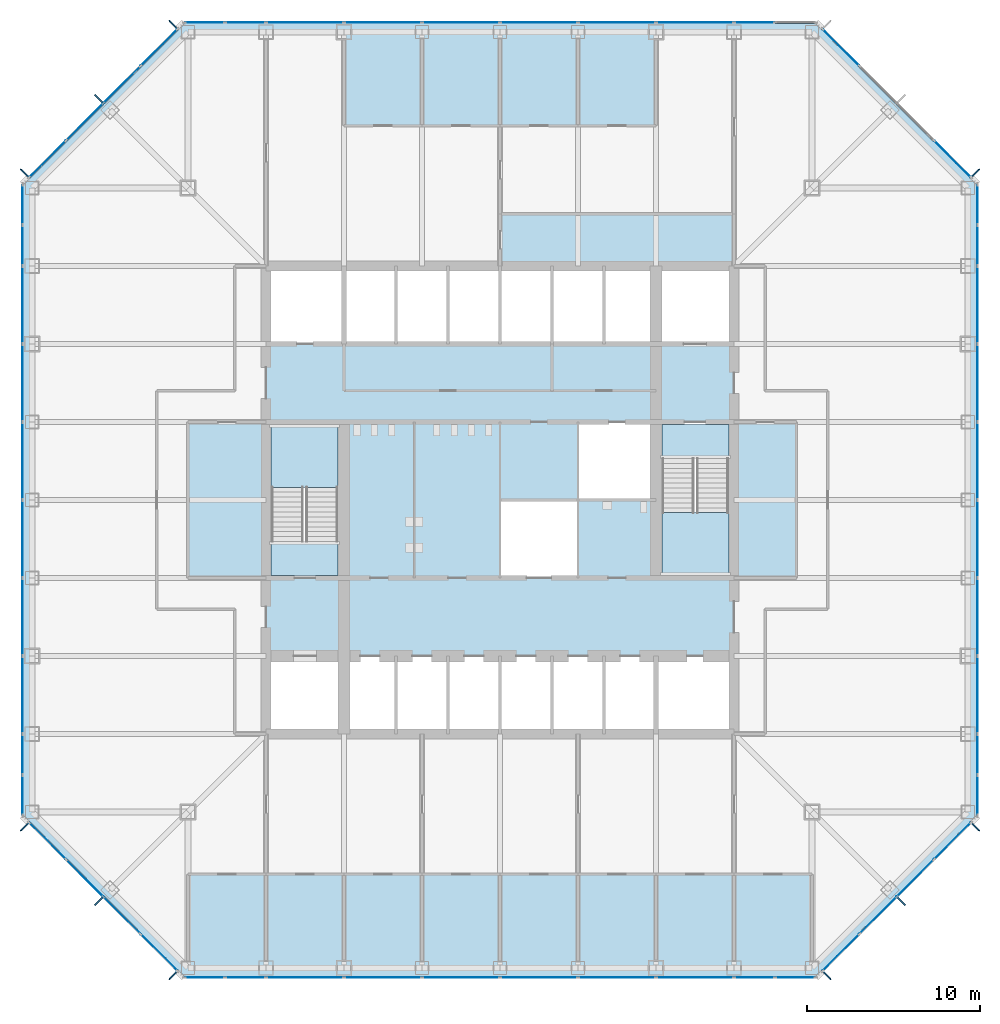
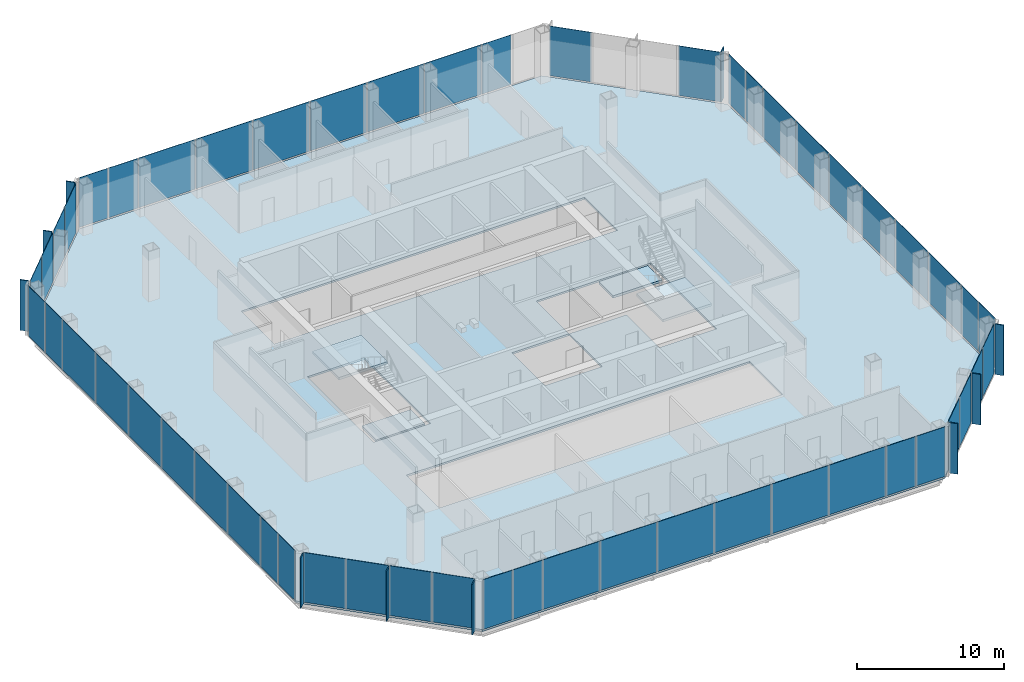
# One storey, part 7 of 13: 63 plates, 5 slabs, 10 elements without a shape of their own.
"""IFC4 building model written with IfcOpenShell, lengths in metres."""

from ifc_helpers import new_model, si_unit, direction, frame, origin, origin_2d, place, context, subcontext, project, spatial, polyline, rectangle, outline, extrude, material, layer, layer_set, type_object, element, aggregate, save


model = new_model("IFC4")

# Units and contexts
model_context = context("Model", 3, precision=1e-05, world=origin(), true_north=direction((0.0, 1.0)))
body_context = subcontext(model_context, "Body", "Model", "MODEL_VIEW")
ifc_project = project(units=[si_unit("LENGTHUNIT", "METRE"), si_unit("AREAUNIT", "SQUARE_METRE"), si_unit("VOLUMEUNIT", "CUBIC_METRE"), si_unit("PLANEANGLEUNIT", "RADIAN"), si_unit("MASSUNIT", "GRAM", prefix="KILO")], contexts=[model_context])

# Site, building, storey
site_placement = place(None, origin())
site = spatial("IfcSite", under=ifc_project, at=site_placement, CompositionType="ELEMENT")
building_placement = place(site_placement, origin())
building = spatial("IfcBuilding", under=site, at=building_placement, Name="Corais Broadcast Tower", CompositionType="ELEMENT")
storey_placement = place(building_placement, frame((0.0, 0.0, 79.39990234375)))
storey = spatial("IfcBuildingStorey", under=building, at=storey_placement, Name="L17", CompositionType="ELEMENT", Elevation=79.39990234375)

# Slab
ifc_material_1 = material(Name="Concrete C30/37", Category="concrete")
ifc_layer_1 = layer(ifc_material_1, 0.159912109375)
ifc_layer_set_1 = layer_set([ifc_layer_1], Name="Concrete C30/37")
slab_type_1 = type_object("IfcSlabType", Name="Composite floor slab 160", PredefinedType="FLOOR", material=ifc_layer_set_1)
slab_1_placement = place(storey_placement, frame((0.0, 0.0, -0.159912109375)))
element("IfcSlab", 1, at=slab_1_placement, inside=storey, type_object=slab_type_1, Name="S160 floor slab L17", PredefinedType="FLOOR", context=body_context, shape_type="SweptSolid", body=[
    extrude(outline(polyline([(8.80126953125, -0.47998046875), (-0.47998046875, 8.80126953125), (-0.47998046875, 45.19873046875), (8.80126953125, 54.47998046875), (45.19873046875, 54.47998046875), (54.47998046875, 45.19873046875), (54.47998046875, 8.80126953125), (45.19873046875, -0.47998046875), (8.80126953125, -0.47998046875)]), holes=[polyline([(13.5, 18.0), (40.5, 18.0), (40.5, 13.5), (13.5, 13.5), (13.5, 18.0)]), polyline([(13.5, 22.5), (13.5, 31.5), (18.0, 31.5), (18.0, 22.5), (13.5, 22.5)]), polyline([(13.5, 40.5), (40.5, 40.5), (40.5, 36.0), (13.5, 36.0), (13.5, 40.5)]), polyline([(27.0, 22.5), (27.0, 27.0), (31.4951171875, 27.0), (31.4951171875, 27.0048828125), (31.5, 27.0048828125), (31.5, 31.5), (40.5, 31.5), (40.5, 22.5), (36.0, 22.5), (36.0, 27.0), (31.5048828125, 27.0), (31.5048828125, 26.9951171875), (31.5, 26.9951171875), (31.5, 22.5), (27.0, 22.5)])]), origin(), (0.0, 0.0, 1.0), 0.159912109375),
])

# Curtain wall, plates
ifc_material_2 = material(Name="Aluminium and glass", Category="aluminium")
curtain_wall_type = type_object("IfcCurtainWallType", Name="Unitised fritted curtain wall CW1", PredefinedType="NOTDEFINED", material=ifc_material_2)
curtain_wall_1_placement = place(storey_placement, origin())
curtain_wall_1 = element("IfcCurtainWall", 2, at=curtain_wall_1_placement, inside=storey, type_object=curtain_wall_type, Name="CW1 curtain wall L17 1", PredefinedType="NOTDEFINED")
ifc_material_3 = material(Name="Ceramic-fritted laminated glass", Category="glass")
ifc_layer_2 = layer(ifc_material_3, 0.030029296875)
ifc_layer_set_2 = layer_set([ifc_layer_2], Name="Ceramic-fritted laminated glass")
plate_type_1 = type_object("IfcPlateType", Name="Fritted glass panel CW1", PredefinedType="CURTAIN_PANEL", material=ifc_layer_set_2)
plate_1_placement = place(storey_placement, frame((7.330322265625, 0.891845703125, 0.06494140625), z_axis=(0.0, 0.0, 1.0), x_axis=(-0.707106781187, 0.707106781187, 0.0)))
plate_1 = element("IfcPlate", 3, at=plate_1_placement, type_object=plate_type_1, Name="CW1 panel 1", PredefinedType="CURTAIN_PANEL", context=body_context, shape_type="SweptSolid", body=[
    extrude(rectangle(XDim=2.9482421875, YDim=0.030029296875, at=origin_2d()), origin(), (0.0, 0.0, 1.0), 4.135009765625),
])
plate_2_placement = place(storey_placement, frame((3.0341796875, 5.18798828125, 0.06494140625), z_axis=(0.0, 0.0, 1.0), x_axis=(-0.707106781187, 0.707106781187, 0.0)))
plate_2 = element("IfcPlate", 4, at=plate_2_placement, type_object=plate_type_1, Name="CW1 panel 3", PredefinedType="CURTAIN_PANEL", context=body_context, shape_type="SweptSolid", body=[
    extrude(rectangle(XDim=2.98095703125, YDim=0.030029296875, at=origin_2d()), origin(), (0.0, 0.0, 1.0), 4.135009765625),
])

curtain_wall_2_placement = place(storey_placement, origin())
curtain_wall_2 = element("IfcCurtainWall", 5, at=curtain_wall_2_placement, inside=storey, type_object=curtain_wall_type, Name="CW1 curtain wall L17 2", PredefinedType="NOTDEFINED")
plate_3_placement = place(storey_placement, frame((-0.550048828125, 9.970458984375, 0.06494140625), z_axis=(0.0, 0.0, 1.0), x_axis=(0.0, 1.0, 0.0)))
plate_3 = element("IfcPlate", 6, at=plate_3_placement, type_object=plate_type_1, Name="CW1 panel 1", PredefinedType="CURTAIN_PANEL", context=body_context, shape_type="SweptSolid", body=[
    extrude(rectangle(XDim=2.266357421875, YDim=0.030029296875, at=origin_2d()), origin(), (0.0, 0.0, 1.0), 4.135009765625),
])
plate_4_placement = place(storey_placement, frame((-0.550048828125, 15.75, 0.06494140625), z_axis=(0.0, 0.0, 1.0), x_axis=(0.0, 1.0, 0.0)))
plate_4 = element("IfcPlate", 7, at=plate_4_placement, type_object=plate_type_1, Name="CW1 panel 3", PredefinedType="CURTAIN_PANEL", context=body_context, shape_type="SweptSolid", body=[
    extrude(rectangle(XDim=4.43505859375, YDim=0.030029296875, at=origin_2d()), origin(), (0.0, 0.0, 1.0), 4.135009765625),
])
plate_5_placement = place(storey_placement, frame((-0.550048828125, 24.75, 0.06494140625), z_axis=(0.0, 0.0, 1.0), x_axis=(0.0, 1.0, 0.0)))
plate_5 = element("IfcPlate", 8, at=plate_5_placement, type_object=plate_type_1, Name="CW1 panel 5", PredefinedType="CURTAIN_PANEL", context=body_context, shape_type="SweptSolid", body=[
    extrude(rectangle(XDim=4.43505859375, YDim=0.030029296875, at=origin_2d()), origin(), (0.0, 0.0, 1.0), 4.135009765625),
])
plate_6_placement = place(storey_placement, frame((-0.550048828125, 33.75, 0.06494140625), z_axis=(0.0, 0.0, 1.0), x_axis=(0.0, 1.0, 0.0)))
plate_6 = element("IfcPlate", 9, at=plate_6_placement, type_object=plate_type_1, Name="CW1 panel 7", PredefinedType="CURTAIN_PANEL", context=body_context, shape_type="SweptSolid", body=[
    extrude(rectangle(XDim=4.43505859375, YDim=0.030029296875, at=origin_2d()), origin(), (0.0, 0.0, 1.0), 4.135009765625),
])
plate_7_placement = place(storey_placement, frame((-0.550048828125, 41.681884765625, 0.06494140625), z_axis=(0.0, 0.0, 1.0), x_axis=(0.0, 1.0, 0.0)))
plate_7 = element("IfcPlate", 10, at=plate_7_placement, type_object=plate_type_1, Name="CW1 panel 9", PredefinedType="CURTAIN_PANEL", context=body_context, shape_type="SweptSolid", body=[
    extrude(rectangle(XDim=2.298828125, YDim=0.030029296875, at=origin_2d()), origin(), (0.0, 0.0, 1.0), 4.135009765625),
])

curtain_wall_3_placement = place(storey_placement, origin())
curtain_wall_3 = element("IfcCurtainWall", 11, at=curtain_wall_3_placement, inside=storey, type_object=curtain_wall_type, Name="CW1 curtain wall L17 3", PredefinedType="NOTDEFINED")
plate_8_placement = place(storey_placement, frame((0.891845703125, 46.669677734375, 0.06494140625), z_axis=(0.0, 0.0, 1.0), x_axis=(0.707106781187, 0.707106781187, 0.0)))
plate_8 = element("IfcPlate", 12, at=plate_8_placement, type_object=plate_type_1, Name="CW1 panel 1", PredefinedType="CURTAIN_PANEL", context=body_context, shape_type="SweptSolid", body=[
    extrude(rectangle(XDim=2.9482421875, YDim=0.030029296875, at=origin_2d()), origin(), (0.0, 0.0, 1.0), 4.135009765625),
])
plate_9_placement = place(storey_placement, frame((5.18798828125, 50.9658203125, 0.06494140625), z_axis=(0.0, 0.0, 1.0), x_axis=(0.707106781187, 0.707106781187, 0.0)))
plate_9 = element("IfcPlate", 13, at=plate_9_placement, type_object=plate_type_1, Name="CW1 panel 3", PredefinedType="CURTAIN_PANEL", context=body_context, shape_type="SweptSolid", body=[
    extrude(rectangle(XDim=2.98095703125, YDim=0.030029296875, at=origin_2d()), origin(), (0.0, 0.0, 1.0), 4.135009765625),
])

curtain_wall_4_placement = place(storey_placement, origin())
curtain_wall_4 = element("IfcCurtainWall", 14, at=curtain_wall_4_placement, inside=storey, type_object=curtain_wall_type, Name="CW1 curtain wall L17 4", PredefinedType="NOTDEFINED")
plate_10_placement = place(storey_placement, frame((9.970458984375, 54.550048828125, 0.06494140625), z_axis=(0.0, 0.0, 1.0), x_axis=(1.0, 0.0, 0.0)))
plate_10 = element("IfcPlate", 15, at=plate_10_placement, type_object=plate_type_1, Name="CW1 panel 1", PredefinedType="CURTAIN_PANEL", context=body_context, shape_type="SweptSolid", body=[
    extrude(rectangle(XDim=2.266357421875, YDim=0.030029296875, at=origin_2d()), origin(), (0.0, 0.0, 1.0), 4.135009765625),
])
plate_11_placement = place(storey_placement, frame((15.75, 54.550048828125, 0.06494140625), z_axis=(0.0, 0.0, 1.0), x_axis=(1.0, 0.0, 0.0)))
plate_11 = element("IfcPlate", 16, at=plate_11_placement, type_object=plate_type_1, Name="CW1 panel 3", PredefinedType="CURTAIN_PANEL", context=body_context, shape_type="SweptSolid", body=[
    extrude(rectangle(XDim=4.43505859375, YDim=0.030029296875, at=origin_2d()), origin(), (0.0, 0.0, 1.0), 4.135009765625),
])
plate_12_placement = place(storey_placement, frame((24.75, 54.550048828125, 0.06494140625), z_axis=(0.0, 0.0, 1.0), x_axis=(1.0, 0.0, 0.0)))
plate_12 = element("IfcPlate", 17, at=plate_12_placement, type_object=plate_type_1, Name="CW1 panel 5", PredefinedType="CURTAIN_PANEL", context=body_context, shape_type="SweptSolid", body=[
    extrude(rectangle(XDim=4.43505859375, YDim=0.030029296875, at=origin_2d()), origin(), (0.0, 0.0, 1.0), 4.135009765625),
])
plate_13_placement = place(storey_placement, frame((33.75, 54.550048828125, 0.06494140625), z_axis=(0.0, 0.0, 1.0), x_axis=(1.0, 0.0, 0.0)))
plate_13 = element("IfcPlate", 18, at=plate_13_placement, type_object=plate_type_1, Name="CW1 panel 7", PredefinedType="CURTAIN_PANEL", context=body_context, shape_type="SweptSolid", body=[
    extrude(rectangle(XDim=4.43505859375, YDim=0.030029296875, at=origin_2d()), origin(), (0.0, 0.0, 1.0), 4.135009765625),
])
plate_14_placement = place(storey_placement, frame((41.681884765625, 54.550048828125, 0.06494140625), z_axis=(0.0, 0.0, 1.0), x_axis=(1.0, 0.0, 0.0)))
plate_14 = element("IfcPlate", 19, at=plate_14_placement, type_object=plate_type_1, Name="CW1 panel 9", PredefinedType="CURTAIN_PANEL", context=body_context, shape_type="SweptSolid", body=[
    extrude(rectangle(XDim=2.298828125, YDim=0.030029296875, at=origin_2d()), origin(), (0.0, 0.0, 1.0), 4.135009765625),
])

# Curtain wall, plate
curtain_wall_5_placement = place(storey_placement, origin())
curtain_wall_5 = element("IfcCurtainWall", 20, at=curtain_wall_5_placement, inside=storey, type_object=curtain_wall_type, Name="CW1 curtain wall L17 5", PredefinedType="NOTDEFINED")
plate_15_placement = place(storey_placement, frame((46.669677734375, 53.108154296875, 0.06494140625), z_axis=(0.0, 0.0, 1.0), x_axis=(0.707106781187, -0.707106781187, 0.0)))
plate_15 = element("IfcPlate", 21, at=plate_15_placement, type_object=plate_type_1, Name="CW1 panel 1", PredefinedType="CURTAIN_PANEL", context=body_context, shape_type="SweptSolid", body=[
    extrude(rectangle(XDim=2.9482421875, YDim=0.030029296875, at=origin_2d()), origin(), (0.0, 0.0, 1.0), 4.135009765625),
])

# Curtain wall, plates
curtain_wall_6_placement = place(storey_placement, origin())
curtain_wall_6 = element("IfcCurtainWall", 22, at=curtain_wall_6_placement, inside=storey, type_object=curtain_wall_type, Name="CW1 curtain wall L17 6", PredefinedType="NOTDEFINED")
plate_16_placement = place(storey_placement, frame((54.550048828125, 44.029541015625, 0.06494140625), z_axis=(0.0, 0.0, 1.0), x_axis=(0.0, -1.0, 0.0)))
plate_16 = element("IfcPlate", 23, at=plate_16_placement, type_object=plate_type_1, Name="CW1 panel 1", PredefinedType="CURTAIN_PANEL", context=body_context, shape_type="SweptSolid", body=[
    extrude(rectangle(XDim=2.266357421875, YDim=0.030029296875, at=origin_2d()), origin(), (0.0, 0.0, 1.0), 4.135009765625),
])
plate_17_placement = place(storey_placement, frame((54.550048828125, 38.25, 0.06494140625), z_axis=(0.0, 0.0, 1.0), x_axis=(0.0, -1.0, 0.0)))
plate_17 = element("IfcPlate", 24, at=plate_17_placement, type_object=plate_type_1, Name="CW1 panel 3", PredefinedType="CURTAIN_PANEL", context=body_context, shape_type="SweptSolid", body=[
    extrude(rectangle(XDim=4.43505859375, YDim=0.030029296875, at=origin_2d()), origin(), (0.0, 0.0, 1.0), 4.135009765625),
])
plate_18_placement = place(storey_placement, frame((54.550048828125, 29.25, 0.06494140625), z_axis=(0.0, 0.0, 1.0), x_axis=(0.0, -1.0, 0.0)))
plate_18 = element("IfcPlate", 25, at=plate_18_placement, type_object=plate_type_1, Name="CW1 panel 5", PredefinedType="CURTAIN_PANEL", context=body_context, shape_type="SweptSolid", body=[
    extrude(rectangle(XDim=4.43505859375, YDim=0.030029296875, at=origin_2d()), origin(), (0.0, 0.0, 1.0), 4.135009765625),
])
plate_19_placement = place(storey_placement, frame((54.550048828125, 20.25, 0.06494140625), z_axis=(0.0, 0.0, 1.0), x_axis=(0.0, -1.0, 0.0)))
plate_19 = element("IfcPlate", 26, at=plate_19_placement, type_object=plate_type_1, Name="CW1 panel 7", PredefinedType="CURTAIN_PANEL", context=body_context, shape_type="SweptSolid", body=[
    extrude(rectangle(XDim=4.43505859375, YDim=0.030029296875, at=origin_2d()), origin(), (0.0, 0.0, 1.0), 4.135009765625),
])
plate_20_placement = place(storey_placement, frame((54.550048828125, 12.318115234375, 0.06494140625), z_axis=(0.0, 0.0, 1.0), x_axis=(0.0, -1.0, 0.0)))
plate_20 = element("IfcPlate", 27, at=plate_20_placement, type_object=plate_type_1, Name="CW1 panel 9", PredefinedType="CURTAIN_PANEL", context=body_context, shape_type="SweptSolid", body=[
    extrude(rectangle(XDim=2.298828125, YDim=0.030029296875, at=origin_2d()), origin(), (0.0, 0.0, 1.0), 4.135009765625),
])

curtain_wall_7_placement = place(storey_placement, origin())
curtain_wall_7 = element("IfcCurtainWall", 28, at=curtain_wall_7_placement, inside=storey, type_object=curtain_wall_type, Name="CW1 curtain wall L17 7", PredefinedType="NOTDEFINED")
plate_21_placement = place(storey_placement, frame((53.108154296875, 7.330322265625, 0.06494140625), z_axis=(0.0, 0.0, 1.0), x_axis=(-0.707106781187, -0.707106781187, 0.0)))
plate_21 = element("IfcPlate", 29, at=plate_21_placement, type_object=plate_type_1, Name="CW1 panel 1", PredefinedType="CURTAIN_PANEL", context=body_context, shape_type="SweptSolid", body=[
    extrude(rectangle(XDim=2.9482421875, YDim=0.030029296875, at=origin_2d()), origin(), (0.0, 0.0, 1.0), 4.135009765625),
])
plate_22_placement = place(storey_placement, frame((48.81201171875, 3.0341796875, 0.06494140625), z_axis=(0.0, 0.0, 1.0), x_axis=(-0.707106781187, -0.707106781187, 0.0)))
plate_22 = element("IfcPlate", 30, at=plate_22_placement, type_object=plate_type_1, Name="CW1 panel 3", PredefinedType="CURTAIN_PANEL", context=body_context, shape_type="SweptSolid", body=[
    extrude(rectangle(XDim=2.98095703125, YDim=0.030029296875, at=origin_2d()), origin(), (0.0, 0.0, 1.0), 4.135009765625),
])

curtain_wall_8_placement = place(storey_placement, origin())
curtain_wall_8 = element("IfcCurtainWall", 31, at=curtain_wall_8_placement, inside=storey, type_object=curtain_wall_type, Name="CW1 curtain wall L17 8", PredefinedType="NOTDEFINED")
plate_23_placement = place(storey_placement, frame((44.029541015625, -0.550048828125, 0.06494140625), z_axis=(0.0, 0.0, 1.0), x_axis=(-1.0, 0.0, 0.0)))
plate_23 = element("IfcPlate", 32, at=plate_23_placement, type_object=plate_type_1, Name="CW1 panel 1", PredefinedType="CURTAIN_PANEL", context=body_context, shape_type="SweptSolid", body=[
    extrude(rectangle(XDim=2.266357421875, YDim=0.030029296875, at=origin_2d()), origin(), (0.0, 0.0, 1.0), 4.135009765625),
])
plate_24_placement = place(storey_placement, frame((38.25, -0.550048828125, 0.06494140625), z_axis=(0.0, 0.0, 1.0), x_axis=(-1.0, 0.0, 0.0)))
plate_24 = element("IfcPlate", 33, at=plate_24_placement, type_object=plate_type_1, Name="CW1 panel 3", PredefinedType="CURTAIN_PANEL", context=body_context, shape_type="SweptSolid", body=[
    extrude(rectangle(XDim=4.43505859375, YDim=0.030029296875, at=origin_2d()), origin(), (0.0, 0.0, 1.0), 4.135009765625),
])
plate_25_placement = place(storey_placement, frame((29.25, -0.550048828125, 0.06494140625), z_axis=(0.0, 0.0, 1.0), x_axis=(-1.0, 0.0, 0.0)))
plate_25 = element("IfcPlate", 34, at=plate_25_placement, type_object=plate_type_1, Name="CW1 panel 5", PredefinedType="CURTAIN_PANEL", context=body_context, shape_type="SweptSolid", body=[
    extrude(rectangle(XDim=4.43505859375, YDim=0.030029296875, at=origin_2d()), origin(), (0.0, 0.0, 1.0), 4.135009765625),
])
plate_26_placement = place(storey_placement, frame((20.25, -0.550048828125, 0.06494140625), z_axis=(0.0, 0.0, 1.0), x_axis=(-1.0, 0.0, 0.0)))
plate_26 = element("IfcPlate", 35, at=plate_26_placement, type_object=plate_type_1, Name="CW1 panel 7", PredefinedType="CURTAIN_PANEL", context=body_context, shape_type="SweptSolid", body=[
    extrude(rectangle(XDim=4.43505859375, YDim=0.030029296875, at=origin_2d()), origin(), (0.0, 0.0, 1.0), 4.135009765625),
])
plate_27_placement = place(storey_placement, frame((12.318115234375, -0.550048828125, 0.06494140625), z_axis=(0.0, 0.0, 1.0), x_axis=(-1.0, 0.0, 0.0)))
plate_27 = element("IfcPlate", 36, at=plate_27_placement, type_object=plate_type_1, Name="CW1 panel 9", PredefinedType="CURTAIN_PANEL", context=body_context, shape_type="SweptSolid", body=[
    extrude(rectangle(XDim=2.298828125, YDim=0.030029296875, at=origin_2d()), origin(), (0.0, 0.0, 1.0), 4.135009765625),
])

# Plate
ifc_material_4 = material(Name="Clear laminated glass", Category="glass")
ifc_layer_3 = layer(ifc_material_4, 0.033935546875)
ifc_layer_set_3 = layer_set([ifc_layer_3], Name="Clear laminated glass")
plate_type_2 = type_object("IfcPlateType", Name="Operable glass panel CW1", PredefinedType="CURTAIN_PANEL", material=ifc_layer_set_3)
plate_28_placement = place(storey_placement, frame((5.18798828125, 3.0341796875, 0.06494140625), z_axis=(0.0, 0.0, 1.0), x_axis=(-0.707106781187, 0.707106781187, 0.0)))
plate_28 = element("IfcPlate", 37, at=plate_28_placement, type_object=plate_type_2, Name="CW1 operable panel 2", PredefinedType="CURTAIN_PANEL", context=body_context, shape_type="SweptSolid", body=[
    extrude(rectangle(XDim=2.98095703125, YDim=0.033935546875, at=origin_2d()), origin(), (0.0, 0.0, 1.0), 4.135009765625),
])

plate_29_placement = place(storey_placement, frame((0.89208984375, 7.330322265625, 0.06494140625), z_axis=(0.0, 0.0, 1.0), x_axis=(-0.707106781187, 0.707106781187, 0.0)))
plate_29 = element("IfcPlate", 38, at=plate_29_placement, type_object=plate_type_2, Name="CW1 operable panel 4", PredefinedType="CURTAIN_PANEL", context=body_context, shape_type="SweptSolid", body=[
    extrude(rectangle(XDim=2.948486328125, YDim=0.033935546875, at=origin_2d()), origin(), (0.0, 0.0, 1.0), 4.135009765625),
])

aggregate(curtain_wall_1, [plate_1, plate_28, plate_2, plate_29])

plate_30_placement = place(storey_placement, frame((-0.550048828125, 12.318115234375, 0.06494140625), z_axis=(0.0, 0.0, 1.0), x_axis=(0.0, 1.0, 0.0)))
plate_30 = element("IfcPlate", 39, at=plate_30_placement, type_object=plate_type_2, Name="CW1 operable panel 2", PredefinedType="CURTAIN_PANEL", context=body_context, shape_type="SweptSolid", body=[
    extrude(rectangle(XDim=2.298828125, YDim=0.033935546875, at=origin_2d()), origin(), (0.0, 0.0, 1.0), 4.135009765625),
])

plate_31_placement = place(storey_placement, frame((-0.550048828125, 20.25, 0.06494140625), z_axis=(0.0, 0.0, 1.0), x_axis=(0.0, 1.0, 0.0)))
plate_31 = element("IfcPlate", 40, at=plate_31_placement, type_object=plate_type_2, Name="CW1 operable panel 4", PredefinedType="CURTAIN_PANEL", context=body_context, shape_type="SweptSolid", body=[
    extrude(rectangle(XDim=4.43505859375, YDim=0.033935546875, at=origin_2d()), origin(), (0.0, 0.0, 1.0), 4.135009765625),
])

plate_32_placement = place(storey_placement, frame((-0.550048828125, 29.25, 0.06494140625), z_axis=(0.0, 0.0, 1.0), x_axis=(0.0, 1.0, 0.0)))
plate_32 = element("IfcPlate", 41, at=plate_32_placement, type_object=plate_type_2, Name="CW1 operable panel 6", PredefinedType="CURTAIN_PANEL", context=body_context, shape_type="SweptSolid", body=[
    extrude(rectangle(XDim=4.43505859375, YDim=0.033935546875, at=origin_2d()), origin(), (0.0, 0.0, 1.0), 4.135009765625),
])

plate_33_placement = place(storey_placement, frame((-0.550048828125, 38.25, 0.06494140625), z_axis=(0.0, 0.0, 1.0), x_axis=(0.0, 1.0, 0.0)))
plate_33 = element("IfcPlate", 42, at=plate_33_placement, type_object=plate_type_2, Name="CW1 operable panel 8", PredefinedType="CURTAIN_PANEL", context=body_context, shape_type="SweptSolid", body=[
    extrude(rectangle(XDim=4.43505859375, YDim=0.033935546875, at=origin_2d()), origin(), (0.0, 0.0, 1.0), 4.135009765625),
])

plate_34_placement = place(storey_placement, frame((-0.550048828125, 44.029541015625, 0.06494140625), z_axis=(0.0, 0.0, 1.0), x_axis=(0.0, 1.0, 0.0)))
plate_34 = element("IfcPlate", 43, at=plate_34_placement, type_object=plate_type_2, Name="CW1 operable panel 10", PredefinedType="CURTAIN_PANEL", context=body_context, shape_type="SweptSolid", body=[
    extrude(rectangle(XDim=2.266357421875, YDim=0.033935546875, at=origin_2d()), origin(), (0.0, 0.0, 1.0), 4.135009765625),
])

aggregate(curtain_wall_2, [plate_3, plate_30, plate_4, plate_31, plate_5, plate_32, plate_6, plate_33, plate_7, plate_34])

plate_35_placement = place(storey_placement, frame((3.0341796875, 48.81201171875, 0.06494140625), z_axis=(0.0, 0.0, 1.0), x_axis=(0.707106781187, 0.707106781187, 0.0)))
plate_35 = element("IfcPlate", 44, at=plate_35_placement, type_object=plate_type_2, Name="CW1 operable panel 2", PredefinedType="CURTAIN_PANEL", context=body_context, shape_type="SweptSolid", body=[
    extrude(rectangle(XDim=2.98095703125, YDim=0.033935546875, at=origin_2d()), origin(), (0.0, 0.0, 1.0), 4.135009765625),
])

plate_36_placement = place(storey_placement, frame((7.330322265625, 53.10791015625, 0.06494140625), z_axis=(0.0, 0.0, 1.0), x_axis=(0.707106781187, 0.707106781187, 0.0)))
plate_36 = element("IfcPlate", 45, at=plate_36_placement, type_object=plate_type_2, Name="CW1 operable panel 4", PredefinedType="CURTAIN_PANEL", context=body_context, shape_type="SweptSolid", body=[
    extrude(rectangle(XDim=2.948486328125, YDim=0.033935546875, at=origin_2d()), origin(), (0.0, 0.0, 1.0), 4.135009765625),
])

aggregate(curtain_wall_3, [plate_8, plate_35, plate_9, plate_36])

plate_37_placement = place(storey_placement, frame((12.318115234375, 54.550048828125, 0.06494140625), z_axis=(0.0, 0.0, 1.0), x_axis=(1.0, 0.0, 0.0)))
plate_37 = element("IfcPlate", 46, at=plate_37_placement, type_object=plate_type_2, Name="CW1 operable panel 2", PredefinedType="CURTAIN_PANEL", context=body_context, shape_type="SweptSolid", body=[
    extrude(rectangle(XDim=2.298828125, YDim=0.033935546875, at=origin_2d()), origin(), (0.0, 0.0, 1.0), 4.135009765625),
])

plate_38_placement = place(storey_placement, frame((20.25, 54.550048828125, 0.06494140625), z_axis=(0.0, 0.0, 1.0), x_axis=(1.0, 0.0, 0.0)))
plate_38 = element("IfcPlate", 47, at=plate_38_placement, type_object=plate_type_2, Name="CW1 operable panel 4", PredefinedType="CURTAIN_PANEL", context=body_context, shape_type="SweptSolid", body=[
    extrude(rectangle(XDim=4.43505859375, YDim=0.033935546875, at=origin_2d()), origin(), (0.0, 0.0, 1.0), 4.135009765625),
])

plate_39_placement = place(storey_placement, frame((29.25, 54.550048828125, 0.06494140625), z_axis=(0.0, 0.0, 1.0), x_axis=(1.0, 0.0, 0.0)))
plate_39 = element("IfcPlate", 48, at=plate_39_placement, type_object=plate_type_2, Name="CW1 operable panel 6", PredefinedType="CURTAIN_PANEL", context=body_context, shape_type="SweptSolid", body=[
    extrude(rectangle(XDim=4.43505859375, YDim=0.033935546875, at=origin_2d()), origin(), (0.0, 0.0, 1.0), 4.135009765625),
])

plate_40_placement = place(storey_placement, frame((38.25, 54.550048828125, 0.06494140625), z_axis=(0.0, 0.0, 1.0), x_axis=(1.0, 0.0, 0.0)))
plate_40 = element("IfcPlate", 49, at=plate_40_placement, type_object=plate_type_2, Name="CW1 operable panel 8", PredefinedType="CURTAIN_PANEL", context=body_context, shape_type="SweptSolid", body=[
    extrude(rectangle(XDim=4.43505859375, YDim=0.033935546875, at=origin_2d()), origin(), (0.0, 0.0, 1.0), 4.135009765625),
])

aggregate(curtain_wall_4, [plate_10, plate_37, plate_11, plate_38, plate_12, plate_39, plate_13, plate_40, plate_14])

plate_41_placement = place(storey_placement, frame((53.10791015625, 46.669677734375, 0.06494140625), z_axis=(0.0, 0.0, 1.0), x_axis=(0.707106781187, -0.707106781187, 0.0)))
plate_41 = element("IfcPlate", 50, at=plate_41_placement, type_object=plate_type_2, Name="CW1 operable panel 4", PredefinedType="CURTAIN_PANEL", context=body_context, shape_type="SweptSolid", body=[
    extrude(rectangle(XDim=2.948486328125, YDim=0.033935546875, at=origin_2d()), origin(), (0.0, 0.0, 1.0), 4.135009765625),
])

aggregate(curtain_wall_5, [plate_15, plate_41])

plate_42_placement = place(storey_placement, frame((54.550048828125, 41.681884765625, 0.06494140625), z_axis=(0.0, 0.0, 1.0), x_axis=(0.0, -1.0, 0.0)))
plate_42 = element("IfcPlate", 51, at=plate_42_placement, type_object=plate_type_2, Name="CW1 operable panel 2", PredefinedType="CURTAIN_PANEL", context=body_context, shape_type="SweptSolid", body=[
    extrude(rectangle(XDim=2.298828125, YDim=0.033935546875, at=origin_2d()), origin(), (0.0, 0.0, 1.0), 4.135009765625),
])

plate_43_placement = place(storey_placement, frame((54.550048828125, 33.75, 0.06494140625), z_axis=(0.0, 0.0, 1.0), x_axis=(0.0, -1.0, 0.0)))
plate_43 = element("IfcPlate", 52, at=plate_43_placement, type_object=plate_type_2, Name="CW1 operable panel 4", PredefinedType="CURTAIN_PANEL", context=body_context, shape_type="SweptSolid", body=[
    extrude(rectangle(XDim=4.43505859375, YDim=0.033935546875, at=origin_2d()), origin(), (0.0, 0.0, 1.0), 4.135009765625),
])

plate_44_placement = place(storey_placement, frame((54.550048828125, 24.75, 0.06494140625), z_axis=(0.0, 0.0, 1.0), x_axis=(0.0, -1.0, 0.0)))
plate_44 = element("IfcPlate", 53, at=plate_44_placement, type_object=plate_type_2, Name="CW1 operable panel 6", PredefinedType="CURTAIN_PANEL", context=body_context, shape_type="SweptSolid", body=[
    extrude(rectangle(XDim=4.43505859375, YDim=0.033935546875, at=origin_2d()), origin(), (0.0, 0.0, 1.0), 4.135009765625),
])

plate_45_placement = place(storey_placement, frame((54.550048828125, 15.75, 0.06494140625), z_axis=(0.0, 0.0, 1.0), x_axis=(0.0, -1.0, 0.0)))
plate_45 = element("IfcPlate", 54, at=plate_45_placement, type_object=plate_type_2, Name="CW1 operable panel 8", PredefinedType="CURTAIN_PANEL", context=body_context, shape_type="SweptSolid", body=[
    extrude(rectangle(XDim=4.43505859375, YDim=0.033935546875, at=origin_2d()), origin(), (0.0, 0.0, 1.0), 4.135009765625),
])

plate_46_placement = place(storey_placement, frame((54.550048828125, 9.970458984375, 0.06494140625), z_axis=(0.0, 0.0, 1.0), x_axis=(0.0, -1.0, 0.0)))
plate_46 = element("IfcPlate", 55, at=plate_46_placement, type_object=plate_type_2, Name="CW1 operable panel 10", PredefinedType="CURTAIN_PANEL", context=body_context, shape_type="SweptSolid", body=[
    extrude(rectangle(XDim=2.266357421875, YDim=0.033935546875, at=origin_2d()), origin(), (0.0, 0.0, 1.0), 4.135009765625),
])

aggregate(curtain_wall_6, [plate_16, plate_42, plate_17, plate_43, plate_18, plate_44, plate_19, plate_45, plate_20, plate_46])

plate_47_placement = place(storey_placement, frame((50.9658203125, 5.18798828125, 0.06494140625), z_axis=(0.0, 0.0, 1.0), x_axis=(-0.707106781187, -0.707106781187, 0.0)))
plate_47 = element("IfcPlate", 56, at=plate_47_placement, type_object=plate_type_2, Name="CW1 operable panel 2", PredefinedType="CURTAIN_PANEL", context=body_context, shape_type="SweptSolid", body=[
    extrude(rectangle(XDim=2.98095703125, YDim=0.033935546875, at=origin_2d()), origin(), (0.0, 0.0, 1.0), 4.135009765625),
])

plate_48_placement = place(storey_placement, frame((46.669677734375, 0.89208984375, 0.06494140625), z_axis=(0.0, 0.0, 1.0), x_axis=(-0.707106781187, -0.707106781187, 0.0)))
plate_48 = element("IfcPlate", 57, at=plate_48_placement, type_object=plate_type_2, Name="CW1 operable panel 4", PredefinedType="CURTAIN_PANEL", context=body_context, shape_type="SweptSolid", body=[
    extrude(rectangle(XDim=2.948486328125, YDim=0.033935546875, at=origin_2d()), origin(), (0.0, 0.0, 1.0), 4.135009765625),
])

aggregate(curtain_wall_7, [plate_21, plate_47, plate_22, plate_48])

plate_49_placement = place(storey_placement, frame((41.681884765625, -0.550048828125, 0.06494140625), z_axis=(0.0, 0.0, 1.0), x_axis=(-1.0, 0.0, 0.0)))
plate_49 = element("IfcPlate", 58, at=plate_49_placement, type_object=plate_type_2, Name="CW1 operable panel 2", PredefinedType="CURTAIN_PANEL", context=body_context, shape_type="SweptSolid", body=[
    extrude(rectangle(XDim=2.298828125, YDim=0.033935546875, at=origin_2d()), origin(), (0.0, 0.0, 1.0), 4.135009765625),
])

plate_50_placement = place(storey_placement, frame((33.75, -0.550048828125, 0.06494140625), z_axis=(0.0, 0.0, 1.0), x_axis=(-1.0, 0.0, 0.0)))
plate_50 = element("IfcPlate", 59, at=plate_50_placement, type_object=plate_type_2, Name="CW1 operable panel 4", PredefinedType="CURTAIN_PANEL", context=body_context, shape_type="SweptSolid", body=[
    extrude(rectangle(XDim=4.43505859375, YDim=0.033935546875, at=origin_2d()), origin(), (0.0, 0.0, 1.0), 4.135009765625),
])

plate_51_placement = place(storey_placement, frame((24.75, -0.550048828125, 0.06494140625), z_axis=(0.0, 0.0, 1.0), x_axis=(-1.0, 0.0, 0.0)))
plate_51 = element("IfcPlate", 60, at=plate_51_placement, type_object=plate_type_2, Name="CW1 operable panel 6", PredefinedType="CURTAIN_PANEL", context=body_context, shape_type="SweptSolid", body=[
    extrude(rectangle(XDim=4.43505859375, YDim=0.033935546875, at=origin_2d()), origin(), (0.0, 0.0, 1.0), 4.135009765625),
])

plate_52_placement = place(storey_placement, frame((15.75, -0.550048828125, 0.06494140625), z_axis=(0.0, 0.0, 1.0), x_axis=(-1.0, 0.0, 0.0)))
plate_52 = element("IfcPlate", 61, at=plate_52_placement, type_object=plate_type_2, Name="CW1 operable panel 8", PredefinedType="CURTAIN_PANEL", context=body_context, shape_type="SweptSolid", body=[
    extrude(rectangle(XDim=4.43505859375, YDim=0.033935546875, at=origin_2d()), origin(), (0.0, 0.0, 1.0), 4.135009765625),
])

plate_53_placement = place(storey_placement, frame((9.970458984375, -0.550048828125, 0.06494140625), z_axis=(0.0, 0.0, 1.0), x_axis=(-1.0, 0.0, 0.0)))
plate_53 = element("IfcPlate", 62, at=plate_53_placement, type_object=plate_type_2, Name="CW1 operable panel 10", PredefinedType="CURTAIN_PANEL", context=body_context, shape_type="SweptSolid", body=[
    extrude(rectangle(XDim=2.266357421875, YDim=0.033935546875, at=origin_2d()), origin(), (0.0, 0.0, 1.0), 4.135009765625),
])

aggregate(curtain_wall_8, [plate_23, plate_49, plate_24, plate_50, plate_25, plate_51, plate_26, plate_52, plate_27, plate_53])

# Stair, slabs
ifc_material_5 = material(Name="Concrete C30/37", Category="concrete")
stair_type = type_object("IfcStairType", Name="Half-turn stair 4200", PredefinedType="HALF_TURN_STAIR", material=ifc_material_5)
stair_1_placement = place(storey_placement, origin())
stair_1 = element("IfcStair", 63, at=stair_1_placement, inside=storey, type_object=stair_type, Name="Stair A L17", PredefinedType="HALF_TURN_STAIR")
ifc_material_6 = material(Name="Concrete C30/37", Category="concrete")
ifc_layer_4 = layer(ifc_material_6, 0.199951171875)
ifc_layer_set_4 = layer_set([ifc_layer_4], Name="Concrete C30/37")
slab_type_2 = type_object("IfcSlabType", Name="Stair landing 200", PredefinedType="LANDING", material=ifc_layer_set_4)
slab_2_placement = place(storey_placement, frame((0.0, 0.0, -0.199951171875)))
slab_2 = element("IfcSlab", 64, at=slab_2_placement, type_object=slab_type_2, Name="STA landing 1", PredefinedType="LANDING", context=body_context, shape_type="SweptSolid", body=[
    extrude(outline(polyline([(13.800048828125, 22.64990234375), (17.64990234375, 22.64990234375), (17.64990234375, 24.60009765625), (13.800048828125, 24.60009765625), (13.800048828125, 22.64990234375)])), origin(), (0.0, 0.0, 1.0), 0.199951171875),
])
slab_3_placement = place(storey_placement, frame((0.0, 0.0, 1.900146484375)))
slab_3 = element("IfcSlab", 65, at=slab_3_placement, type_object=slab_type_2, Name="STA landing 2", PredefinedType="LANDING", context=body_context, shape_type="SweptSolid", body=[
    extrude(outline(polyline([(13.800048828125, 27.735107421875), (17.64990234375, 27.735107421875), (17.64990234375, 31.35009765625), (13.800048828125, 31.35009765625), (13.800048828125, 27.735107421875)])), origin(), (0.0, 0.0, 1.0), 0.199951171875),
])
aggregate(stair_1, [slab_2, slab_3])

stair_2_placement = place(storey_placement, origin())
stair_2 = element("IfcStair", 66, at=stair_2_placement, inside=storey, type_object=stair_type, Name="Stair B L17", PredefinedType="HALF_TURN_STAIR")
slab_4_placement = place(storey_placement, frame((0.0, 0.0, -0.199951171875)))
slab_4 = element("IfcSlab", 67, at=slab_4_placement, type_object=slab_type_2, Name="STB landing 1", PredefinedType="LANDING", context=body_context, shape_type="SweptSolid", body=[
    extrude(outline(polyline([(36.35009765625, 29.39990234375), (40.199951171875, 29.39990234375), (40.199951171875, 31.35009765625), (36.35009765625, 31.35009765625), (36.35009765625, 29.39990234375)])), origin(), (0.0, 0.0, 1.0), 0.199951171875),
])
slab_5_placement = place(storey_placement, frame((0.0, 0.0, 1.900146484375)))
slab_5 = element("IfcSlab", 68, at=slab_5_placement, type_object=slab_type_2, Name="STB landing 2", PredefinedType="LANDING", context=body_context, shape_type="SweptSolid", body=[
    extrude(outline(polyline([(36.35009765625, 22.64990234375), (40.199951171875, 22.64990234375), (40.199951171875, 26.264892578125), (36.35009765625, 26.264892578125), (36.35009765625, 22.64990234375)])), origin(), (0.0, 0.0, 1.0), 0.199951171875),
])
aggregate(stair_2, [slab_4, slab_5])

# Plates
ifc_material_7 = material(Name="Granite stone cladding", Category="masonry")
ifc_layer_5 = layer(ifc_material_7, 0.080078125)
ifc_layer_set_5 = layer_set([ifc_layer_5], Name="Granite stone cladding")
plate_type_3 = type_object("IfcPlateType", Name="Stone screen fin 80x600", PredefinedType="USERDEFINED", material=ifc_layer_set_5)
for number, where, z_axis, x_axis, name in (
    (69, (8.114990234375, -0.4541015625, 0.0), (0.0, 0.0, 1.0), (-0.707106781187, 0.707106781187, 0.0), "SF1 stone screen fin L17"),
    (70, (3.830322265625, 3.830322265625, 0.0), (0.0, 0.0, 1.0), (-0.707106781187, 0.707106781187, 0.0), "SF1 stone screen fin L17"),
    (71, (-0.4541015625, 8.114990234375, 0.0), (0.0, 0.0, 1.0), (-0.707106781187, 0.707106781187, 0.0), "SF1 stone screen fin L17"),
    (72, (-0.4541015625, 45.885009765625, 0.0), (0.0, 0.0, 1.0), (0.707106781187, 0.707106781187, 0.0), "SF1 stone screen fin L17"),
    (73, (3.830322265625, 50.169677734375, 0.0), (0.0, 0.0, 1.0), (0.707106781187, 0.707106781187, 0.0), "SF1 stone screen fin L17"),
    (74, (8.114990234375, 54.4541015625, 0.0), (0.0, 0.0, 1.0), (0.707106781187, 0.707106781187, 0.0), "SF1 stone screen fin L17"),
    (75, (54.4541015625, 45.885009765625, 0.0), (0.0, 0.0, 1.0), (0.707106781187, -0.707106781187, 0.0), "SF1 stone screen fin L17"),
    (76, (54.4541015625, 8.114990234375, 0.0), (0.0, 0.0, 1.0), (-0.707106781187, -0.707106781187, 0.0), "SF1 stone screen fin L17"),
    (77, (50.169677734375, 3.830322265625, 0.0), (0.0, 0.0, 1.0), (-0.707106781187, -0.707106781187, 0.0), "SF1 stone screen fin L17"),
    (78, (45.885009765625, -0.4541015625, 0.0), (0.0, 0.0, 1.0), (-0.707106781187, -0.707106781187, 0.0), "SF1 stone screen fin L17"),
):
    element("IfcPlate", number, at=place(storey_placement, frame(where, z_axis=z_axis, x_axis=x_axis)), inside=storey, type_object=plate_type_3, Name=name, ObjectType="STONE SCREEN FIN", PredefinedType="USERDEFINED", context=body_context, shape_type="SweptSolid", body=[
        extrude(rectangle(XDim=0.080078125, YDim=0.60009765625, at=origin_2d()), origin(), (0.0, 0.0, 1.0), 4.199951171875),
    ])

save(model, "model.ifc")
